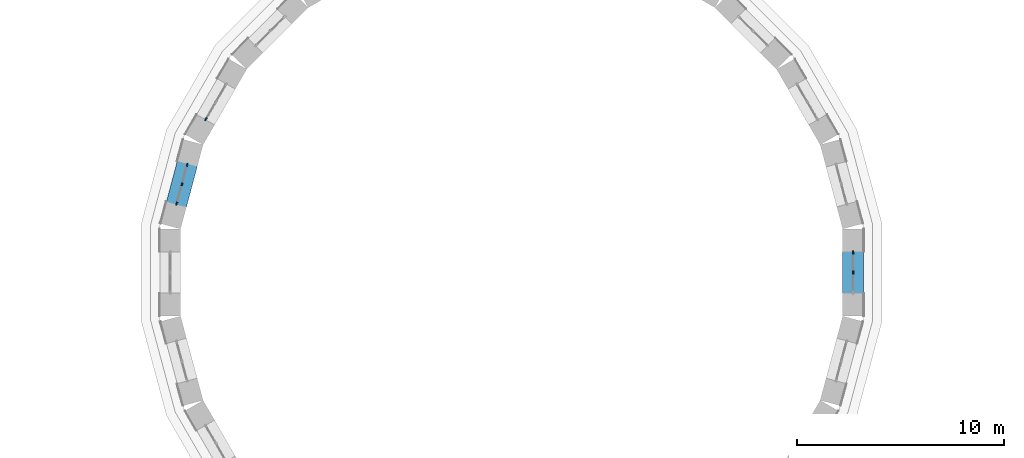
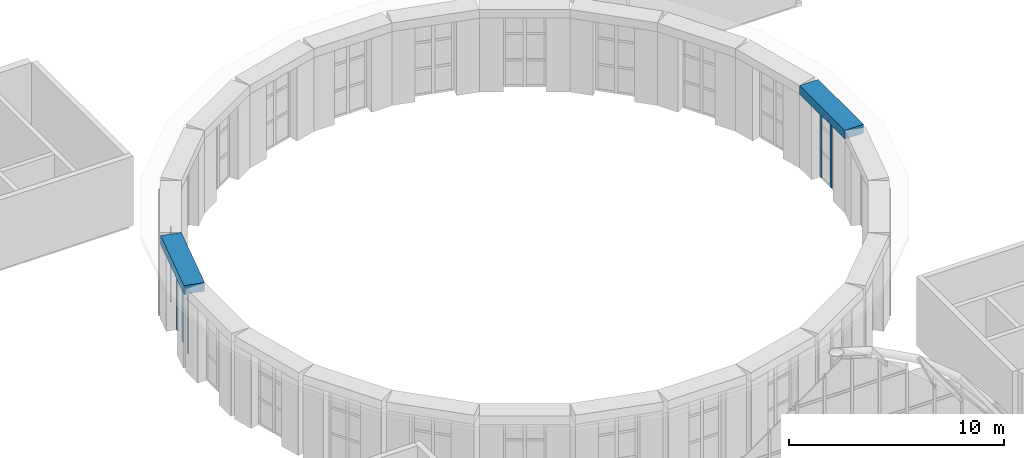
# One storey, part 60 of 121: 6 members, 2 beams, 3 elements without a shape of their own.
"""IFC4 building model written with IfcOpenShell, lengths in metres."""

from ifc_helpers import new_model, si_unit, direction, frame, origin, origin_2d, place, context, subcontext, project, spatial, rectangle, extrude, material, layer, layer_set, material_profile, profile_set, type_object, element, aggregate, save


model = new_model("IFC4")

# Units and contexts
model_context = context("Model", 3, precision=1e-05, world=origin(), true_north=direction((0.0, 1.0)))
body_context = subcontext(model_context, "Body", "Model", "MODEL_VIEW")
ifc_project = project(units=[si_unit("LENGTHUNIT", "METRE"), si_unit("AREAUNIT", "SQUARE_METRE"), si_unit("VOLUMEUNIT", "CUBIC_METRE"), si_unit("PLANEANGLEUNIT", "RADIAN"), si_unit("MASSUNIT", "GRAM", prefix="KILO")], contexts=[model_context])

# Site, building, storey
site_placement = place(None, origin())
site = spatial("IfcSite", under=ifc_project, at=site_placement, CompositionType="ELEMENT")
building_placement = place(site_placement, origin())
building = spatial("IfcBuilding", under=site, at=building_placement, Name="Golden Quay Civic Hall", CompositionType="ELEMENT")
storey_placement = place(building_placement, frame((0.0, 0.0, 18.60009765625)))
storey = spatial("IfcBuildingStorey", under=building, at=storey_placement, Name="L04", CompositionType="ELEMENT", Elevation=18.60009765625)

# Curtain wall, member
ifc_material_1 = material(Name="Glass, laminated double glazed", Category="glass")
ifc_layer = layer(ifc_material_1, 0.199951171875)
ifc_layer_set = layer_set([ifc_layer], Name="Glazed drum clerestory curtain wall")
curtain_wall_type = type_object("IfcCurtainWallType", Name="Glazed drum clerestory curtain wall", PredefinedType="NOTDEFINED", material=ifc_layer_set)
curtain_wall_1_placement = place(storey_placement, origin())
curtain_wall_1 = element("IfcCurtainWall", 1, at=curtain_wall_1_placement, inside=storey, type_object=curtain_wall_type, Name="Clerestory curtain wall 10", PredefinedType="NOTDEFINED")
ifc_material_2 = material(Name="Aluminium, anodised", Category="aluminium")
ifc_material_profile_1 = material_profile(ifc_material_2, rectangle(XDim=0.06005859375, YDim=0.159912109375, at=origin_2d()), Name="Aluminium 60 x 160")
ifc_profile_set_1 = profile_set([ifc_material_profile_1], Name="Aluminium, anodised")
member_type = type_object("IfcMemberType", Name="Aluminium mullion 60 x 160", PredefinedType="MULLION", material=ifc_profile_set_1)
member_1_placement = place(storey_placement, frame((70.7255859375, 92.909912109375, -0.2001953125), z_axis=(0.0, 0.0, 1.0), x_axis=(0.866019052627, -0.500011000366, 0.0)))
member_1 = element("IfcMember", 2, at=member_1_placement, type_object=member_type, Name="CW5 mullion 3", PredefinedType="MULLION", context=body_context, shape_type="SweptSolid", body=[
    extrude(rectangle(XDim=0.06005859375, YDim=0.159912109375, at=origin_2d()), origin(), (0.0, 0.0, 1.0), 4.2001953125),
])
aggregate(curtain_wall_1, [member_1])

# Curtain wall, members
curtain_wall_2_placement = place(storey_placement, origin())
curtain_wall_2 = element("IfcCurtainWall", 3, at=curtain_wall_2_placement, inside=storey, type_object=curtain_wall_type, Name="Clerestory curtain wall 11", PredefinedType="NOTDEFINED")
member_2_placement = place(storey_placement, frame((69.813232421875, 90.70751953125, -0.2001953125), z_axis=(0.0, 0.0, 1.0), x_axis=(0.965928857556, -0.258807731996, 0.0)))
member_2 = element("IfcMember", 4, at=member_2_placement, type_object=member_type, Name="CW5 mullion 1", PredefinedType="MULLION", context=body_context, shape_type="SweptSolid", body=[
    extrude(rectangle(XDim=0.06005859375, YDim=0.159912109375, at=origin_2d()), origin(), (0.0, 0.0, 1.0), 4.2001953125),
])
member_3_placement = place(storey_placement, frame((69.562255859375, 89.7705078125, -0.2001953125), z_axis=(0.0, 0.0, 1.0), x_axis=(0.965928857556, -0.258807731996, 0.0)))
member_3 = element("IfcMember", 5, at=member_3_placement, type_object=member_type, Name="CW5 mullion 2", PredefinedType="MULLION", context=body_context, shape_type="SweptSolid", body=[
    extrude(rectangle(XDim=0.06005859375, YDim=0.159912109375, at=origin_2d()), origin(), (0.0, 0.0, 1.0), 4.2001953125),
])
member_4_placement = place(storey_placement, frame((69.311279296875, 88.83349609375, -0.2001953125), z_axis=(0.0, 0.0, 1.0), x_axis=(0.965928857556, -0.258807731996, 0.0)))
member_4 = element("IfcMember", 6, at=member_4_placement, type_object=member_type, Name="CW5 mullion 3", PredefinedType="MULLION", context=body_context, shape_type="SweptSolid", body=[
    extrude(rectangle(XDim=0.06005859375, YDim=0.159912109375, at=origin_2d()), origin(), (0.0, 0.0, 1.0), 4.2001953125),
])
aggregate(curtain_wall_2, [member_2, member_3, member_4])

curtain_wall_3_placement = place(storey_placement, origin())
curtain_wall_3 = element("IfcCurtainWall", 7, at=curtain_wall_3_placement, inside=storey, type_object=curtain_wall_type, Name="Clerestory curtain wall 24", PredefinedType="NOTDEFINED")
member_5_placement = place(storey_placement, frame((102.0, 85.5, -0.2001953125), z_axis=(0.0, 0.0, 1.0), x_axis=(-1.0, 0.0, 0.0)))
member_5 = element("IfcMember", 8, at=member_5_placement, type_object=member_type, Name="CW5 mullion 2", PredefinedType="MULLION", context=body_context, shape_type="SweptSolid", body=[
    extrude(rectangle(XDim=0.06005859375, YDim=0.159912109375, at=origin_2d()), origin(), (0.0, 0.0, 1.0), 4.2001953125),
])
member_6_placement = place(storey_placement, frame((102.0, 86.469970703125, -0.2001953125), z_axis=(0.0, 0.0, 1.0), x_axis=(-1.0, 0.0, 0.0)))
member_6 = element("IfcMember", 9, at=member_6_placement, type_object=member_type, Name="CW5 mullion 3", PredefinedType="MULLION", context=body_context, shape_type="SweptSolid", body=[
    extrude(rectangle(XDim=0.06005859375, YDim=0.159912109375, at=origin_2d()), origin(), (0.0, 0.0, 1.0), 4.2001953125),
])
aggregate(curtain_wall_3, [member_5, member_6])

# Beams
ifc_material_3 = material(Name="Concrete C40/50", Category="concrete")
ifc_material_profile_2 = material_profile(ifc_material_3, rectangle(XDim=1.0, YDim=0.5, at=origin_2d()), Name="RC 1000x500")
ifc_profile_set_2 = profile_set([ifc_material_profile_2], Name="Concrete C40/50")
beam_type = type_object("IfcBeamType", Name="Reinforced concrete springing ring beam 1000x500", PredefinedType="BEAM", material=ifc_profile_set_2)
for number, where, z_axis, x_axis, name in (
    (10, (70.107421875, 91.80517578125, 4.25), (-0.258809467323, -0.965928392597, 0.0), (0.965928392597, -0.258809467323, 0.0), "Drum ring beam segment 11"),
    (11, (102.0, 83.3935546875, 4.25), (0.0, 1.0, 0.0), (-1.0, 0.0, 0.0), "Drum ring beam segment 24"),
):
    element("IfcBeam", number, at=place(storey_placement, frame(where, z_axis=z_axis, x_axis=x_axis)), inside=storey, type_object=beam_type, Name=name, PredefinedType="BEAM", context=body_context, shape_type="SweptSolid", body=[
        extrude(rectangle(XDim=1.0, YDim=0.5, at=origin_2d()), origin(), (0.0, 0.0, 1.0), 4.212890625),
    ])

save(model, "model.ifc")
